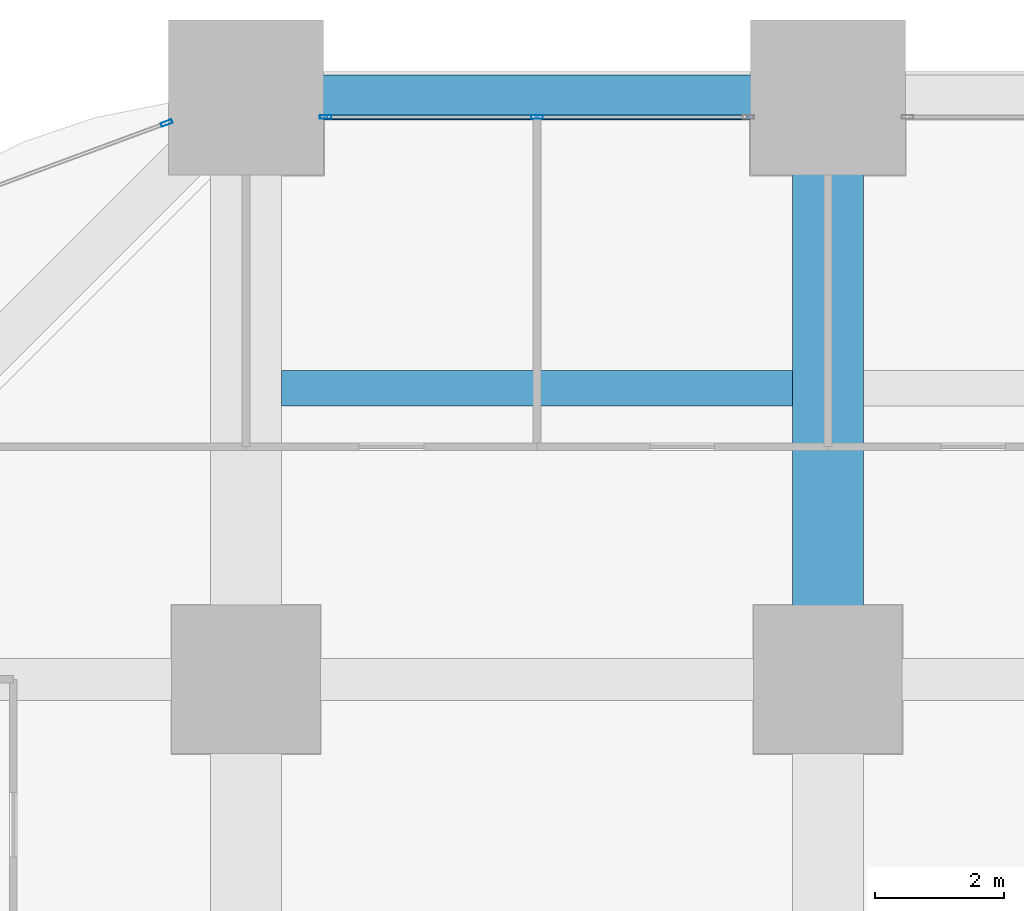
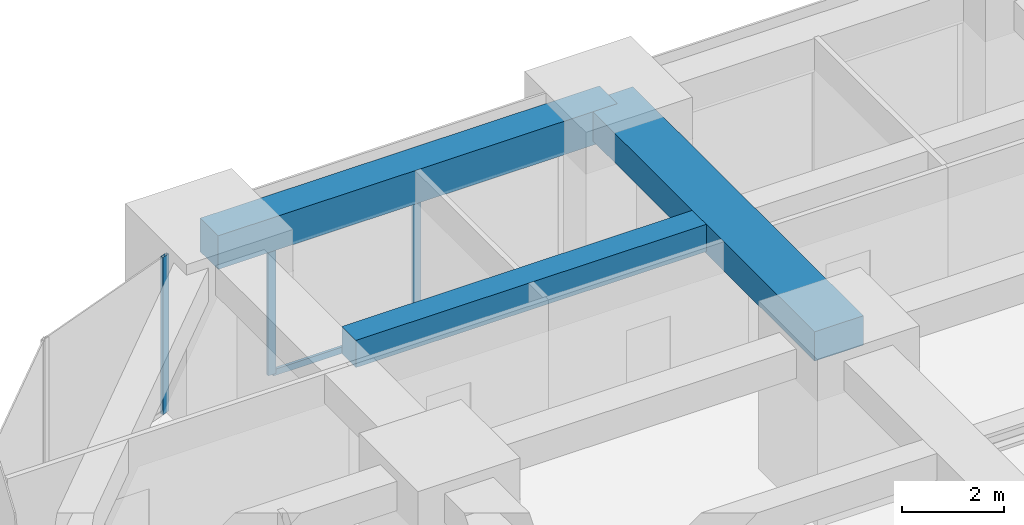
# One storey, part 28 of 44: 4 members, 3 beams, 2 elements without a shape of their own.
"""IFC4 building model written with IfcOpenShell, lengths in metres."""

from ifc_helpers import new_model, si_unit, direction, frame, origin, origin_2d, place, context, subcontext, project, spatial, rectangle, hollow_rectangle, extrude, material, material_profile, profile_set, type_object, element, aggregate, save


model = new_model("IFC4")

# Units and contexts
model_context = context("Model", 3, precision=1e-05, world=origin(), true_north=direction((0.0, 1.0)))
body_context = subcontext(model_context, "Body", "Model", "MODEL_VIEW")
ifc_project = project(units=[si_unit("LENGTHUNIT", "METRE"), si_unit("AREAUNIT", "SQUARE_METRE"), si_unit("VOLUMEUNIT", "CUBIC_METRE"), si_unit("PLANEANGLEUNIT", "RADIAN"), si_unit("MASSUNIT", "GRAM", prefix="KILO")], contexts=[model_context])

# Site, building, storey
site_placement = place(None, origin())
site = spatial("IfcSite", under=ifc_project, at=site_placement, CompositionType="ELEMENT")
building_placement = place(site_placement, origin())
building = spatial("IfcBuilding", under=site, at=building_placement, Name="Zorevar Civic Tower", CompositionType="ELEMENT")
storey_placement = place(building_placement, frame((0.0, 0.0, 35.800048828125)))
storey = spatial("IfcBuildingStorey", under=building, at=storey_placement, Name="L08", CompositionType="ELEMENT", Elevation=35.800048828125)

# Beams
ifc_material_1 = material(Name="Concrete C50/60", Category="concrete")
ifc_material_profile_1 = material_profile(ifc_material_1, rectangle(XDim=1.10009765625, YDim=0.699951171875, at=origin_2d()), Name="RC 1100x700")
ifc_profile_set_1 = profile_set([ifc_material_profile_1], Name="Concrete C50/60")
beam_type_1 = type_object("IfcBeamType", Name="Beam RC 1100x700", PredefinedType="BEAM", material=ifc_profile_set_1)
beam_1_placement = place(storey_placement, frame((18.0, 45.0, 3.39990234375), z_axis=(0.0, 1.0, 0.0), x_axis=(-1.0, 0.0, 0.0)))
element("IfcBeam", 1, at=beam_1_placement, inside=storey, type_object=beam_type_1, Name="Girder L09", PredefinedType="BEAM", context=body_context, shape_type="SweptSolid", body=[
    extrude(rectangle(XDim=1.10009765625, YDim=0.699951171875, at=origin_2d()), origin(), (0.0, 0.0, 1.0), 9.0),
])
ifc_material_2 = material(Name="Concrete C50/60", Category="concrete")
ifc_material_profile_2 = material_profile(ifc_material_2, rectangle(XDim=0.550048828125, YDim=0.64990234375, at=origin_2d()), Name="RC 550x650")
ifc_profile_set_2 = profile_set([ifc_material_profile_2], Name="Concrete C50/60")
beam_type_2 = type_object("IfcBeamType", Name="Beam RC 550x650", PredefinedType="BEAM", material=ifc_profile_set_2)
beam_2_placement = place(storey_placement, frame((9.550048828125, 49.5, 3.425048828125), z_axis=(1.0, 0.0, 0.0), x_axis=(0.0, 1.0, 0.0)))
element("IfcBeam", 2, at=beam_2_placement, inside=storey, type_object=beam_type_2, Name="Secondary beam L09", PredefinedType="BEAM", context=body_context, shape_type="SweptSolid", body=[
    extrude(rectangle(XDim=0.550048828125, YDim=0.64990234375, at=origin_2d()), origin(), (0.0, 0.0, 1.0), 7.89990234375),
])

# Curtain wall, members
ifc_material_3 = material(Name="Dark grey solar-control glass in black aluminium frame", Category="aluminium")
curtain_wall_type = type_object("IfcCurtainWallType", Name="Curtain wall CW2 low zone", PredefinedType="NOTDEFINED", material=ifc_material_3)
curtain_wall_1_placement = place(storey_placement, origin())
curtain_wall_1 = element("IfcCurtainWall", 3, at=curtain_wall_1_placement, inside=storey, type_object=curtain_wall_type, Name="CW2 L08", PredefinedType="NOTDEFINED")
ifc_material_4 = material(Name="Aluminium, black anodised", Category="aluminium")
ifc_material_profile_3 = material_profile(ifc_material_4, hollow_rectangle(XDim=0.06005859375, YDim=0.179931640625, WallThickness=0.00390625, at=origin_2d()), Name="AL 180x60x4")
ifc_profile_set_3 = profile_set([ifc_material_profile_3], Name="Aluminium, black anodised")
member_type_1 = type_object("IfcMemberType", Name="CW2 mullion AL 180x60x4", PredefinedType="MULLION", material=ifc_profile_set_3)
member_1_placement = place(storey_placement, frame((10.22998046875, 53.699951171875, 0.0), z_axis=(0.0, 0.0, 1.0), x_axis=(0.0, 1.0, 0.0)))
member_1 = element("IfcMember", 4, at=member_1_placement, type_object=member_type_1, Name="CW2 mullion 1", PredefinedType="MULLION", context=body_context, shape_type="SweptSolid", body=[
    extrude(hollow_rectangle(XDim=0.06005859375, YDim=0.179931640625, WallThickness=0.00390625, at=origin_2d()), origin(), (0.0, 0.0, 1.0), 2.949951171875),
])
member_2_placement = place(storey_placement, frame((13.5, 53.699951171875, 0.06005859375), z_axis=(0.0, 0.0, 1.0), x_axis=(0.0, 1.0, 0.0)))
member_2 = element("IfcMember", 5, at=member_2_placement, type_object=member_type_1, Name="CW2 mullion 2", PredefinedType="MULLION", context=body_context, shape_type="SweptSolid", body=[
    extrude(hollow_rectangle(XDim=0.06005859375, YDim=0.179931640625, WallThickness=0.00390625, at=origin_2d()), origin(), (0.0, 0.0, 1.0), 2.889892578125),
])

# Curtain wall, member
curtain_wall_2_placement = place(storey_placement, origin())
curtain_wall_2 = element("IfcCurtainWall", 6, at=curtain_wall_2_placement, inside=storey, type_object=curtain_wall_type, Name="CW2 L08", PredefinedType="NOTDEFINED")
member_3_placement = place(storey_placement, frame((7.77197265625, 53.6064453125, 0.0), z_axis=(0.0, 0.0, 1.0), x_axis=(0.346704012033, -0.937974588163, 0.0)))
member_3 = element("IfcMember", 7, at=member_3_placement, type_object=member_type_1, Name="CW2 mullion 1", PredefinedType="MULLION", context=body_context, shape_type="SweptSolid", body=[
    extrude(hollow_rectangle(XDim=0.06005859375, YDim=0.179931640625, WallThickness=0.00390625, at=origin_2d()), origin(), (0.0, 0.0, 1.0), 3.75),
])
aggregate(curtain_wall_2, [member_3])

# Member
ifc_material_5 = material(Name="Aluminium, black anodised", Category="aluminium")
ifc_material_profile_4 = material_profile(ifc_material_5, hollow_rectangle(XDim=0.06005859375, YDim=0.14990234375, WallThickness=0.00390625, at=origin_2d()), Name="AL 150x60x4")
ifc_profile_set_4 = profile_set([ifc_material_profile_4], Name="Aluminium, black anodised")
member_type_2 = type_object("IfcMemberType", Name="CW2 transom AL 150x60x4", PredefinedType="USERDEFINED", material=ifc_profile_set_4)
member_4_placement = place(storey_placement, frame((10.260009765625, 53.699951171875, 0.030029296875), z_axis=(1.0, 0.0, 0.0), x_axis=(0.0, 1.0, 0.0)))
member_4 = element("IfcMember", 8, at=member_4_placement, type_object=member_type_2, Name="CW2 sill transom", ObjectType="TRANSOM", PredefinedType="USERDEFINED", context=body_context, shape_type="SweptSolid", body=[
    extrude(hollow_rectangle(XDim=0.06005859375, YDim=0.14990234375, WallThickness=0.00390625, at=origin_2d()), origin(), (0.0, 0.0, 1.0), 6.47998046875),
])

aggregate(curtain_wall_1, [member_1, member_2, member_4])

# Beam
ifc_material_6 = material(Name="Concrete C50/60", Category="concrete")
ifc_material_profile_5 = material_profile(ifc_material_6, rectangle(XDim=0.699951171875, YDim=0.800048828125, at=origin_2d()), Name="RC 700x800")
ifc_profile_set_5 = profile_set([ifc_material_profile_5], Name="Concrete C50/60")
beam_type_3 = type_object("IfcBeamType", Name="Edge beam RC 700x800", PredefinedType="SPANDREL", material=ifc_profile_set_5)
beam_3_placement = place(storey_placement, frame((9.0, 54.0, 3.349853515625), z_axis=(1.0, 0.0, 0.0), x_axis=(0.0, 1.0, 0.0)))
element("IfcBeam", 9, at=beam_3_placement, inside=storey, type_object=beam_type_3, Name="Edge beam L09", PredefinedType="SPANDREL", context=body_context, shape_type="SweptSolid", body=[
    extrude(rectangle(XDim=0.699951171875, YDim=0.800048828125, at=origin_2d()), origin(), (0.0, 0.0, 1.0), 9.0),
])

save(model, "model.ifc")
